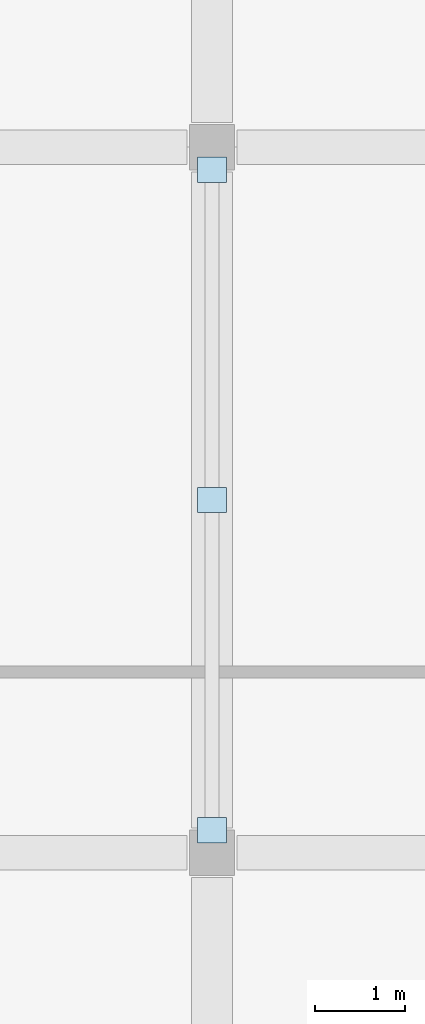
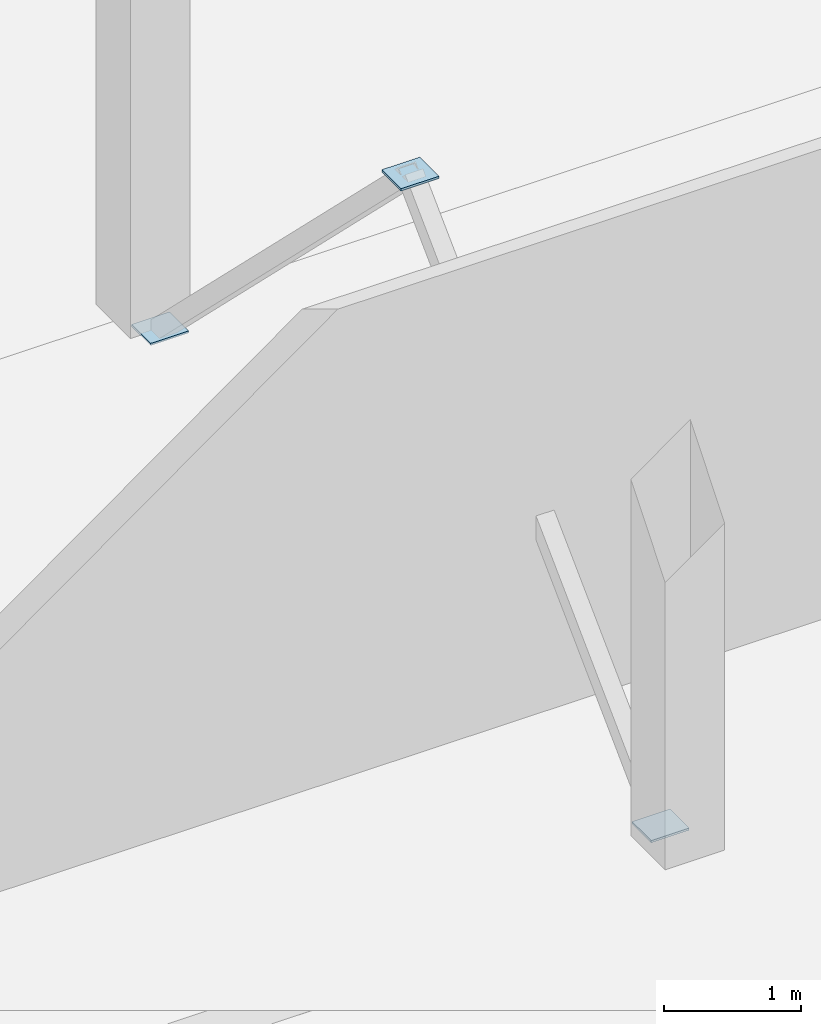
# One storey, part 47 of 53: 3 plates.
"""IFC4 building model written with IfcOpenShell, lengths in metres."""

from ifc_helpers import new_model, si_unit, direction, frame, origin, origin_2d, place, context, subcontext, project, spatial, rectangle, extrude, material, layer, layer_set, type_object, element, save


model = new_model("IFC4")

# Units and contexts
model_context = context("Model", 3, precision=1e-05, world=origin(), true_north=direction((0.0, 1.0)))
body_context = subcontext(model_context, "Body", "Model", "MODEL_VIEW")
ifc_project = project(units=[si_unit("LENGTHUNIT", "METRE"), si_unit("AREAUNIT", "SQUARE_METRE"), si_unit("VOLUMEUNIT", "CUBIC_METRE"), si_unit("PLANEANGLEUNIT", "RADIAN"), si_unit("MASSUNIT", "GRAM", prefix="KILO")], contexts=[model_context])

# Site, building, storey
site_placement = place(None, origin())
site = spatial("IfcSite", under=ifc_project, at=site_placement, CompositionType="ELEMENT")
building_placement = place(site_placement, origin())
building = spatial("IfcBuilding", under=site, at=building_placement, Name="Pellamere Symphony Hall", CompositionType="ELEMENT")
storey_placement = place(building_placement, frame((0.0, 0.0, 24.0)))
storey = spatial("IfcBuildingStorey", under=building, at=storey_placement, Name="L05", CompositionType="ELEMENT", Elevation=24.0)

# Plates
ifc_material = material(Name="Steel CSA G40.21 350W", Category="steel")
ifc_layer = layer(ifc_material, 0.02001953125, Name="Steel CSA G40.21 350W")
ifc_layer_set = layer_set([ifc_layer], Name="Steel CSA G40.21 350W")
plate_type = type_object("IfcPlateType", Name="Steel Connection Plate KP-06 320x280x20", PredefinedType="SHEET", material=ifc_layer_set)
for number, where, z_axis, x_axis, name in (
    (1, (164.39990234375, 54.25, -0.010009765625), (0.0, 0.0, 1.0), (1.0, 0.0, 0.0), "Brace End Cap Plate 187"),
    (2, (164.39990234375, 61.550048828125, -0.010009765625), (0.0, 0.0, 1.0), (1.0, 0.0, 0.0), "Brace End Cap Plate 188"),
    (3, (164.39990234375, 57.89990234375, 3.580078125), (0.0, 0.0, 1.0), (1.0, 0.0, 0.0), "Brace End Cap Plate 189"),
):
    element("IfcPlate", number, at=place(storey_placement, frame(where, z_axis=z_axis, x_axis=x_axis)), inside=storey, type_object=plate_type, Name=name, PredefinedType="SHEET", context=body_context, shape_type="SweptSolid", body=[
        extrude(rectangle(XDim=0.320068359375, YDim=0.280029296875, at=origin_2d()), origin(), (0.0, 0.0, 1.0), 0.02001953125),
    ])

save(model, "model.ifc")
